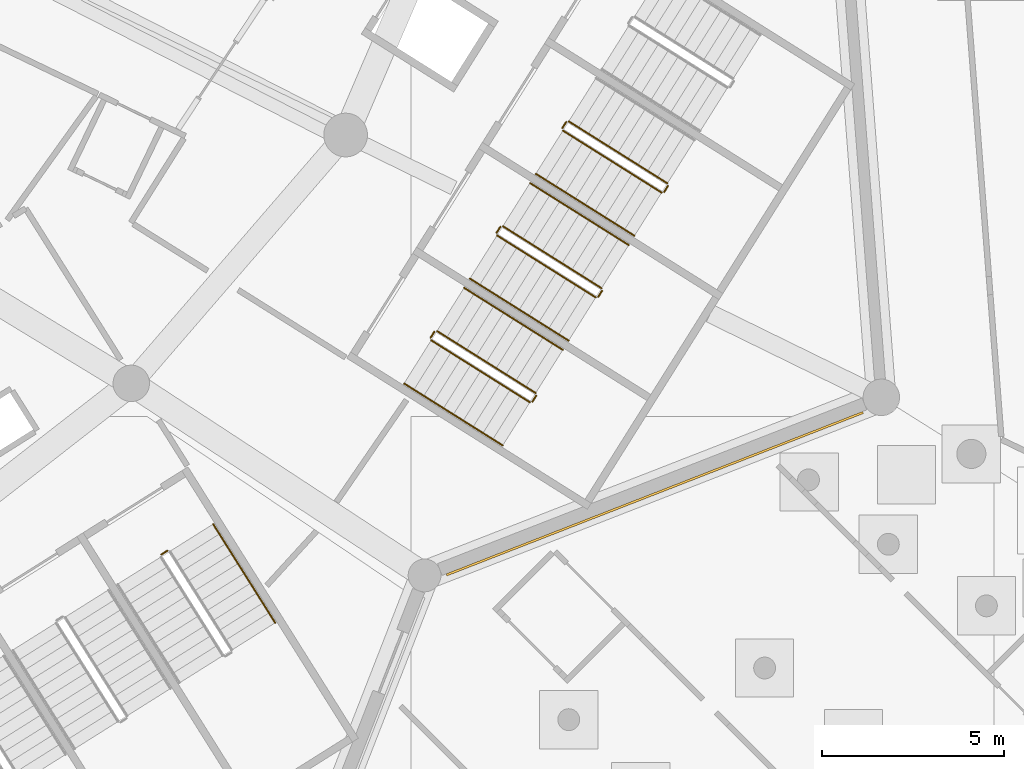
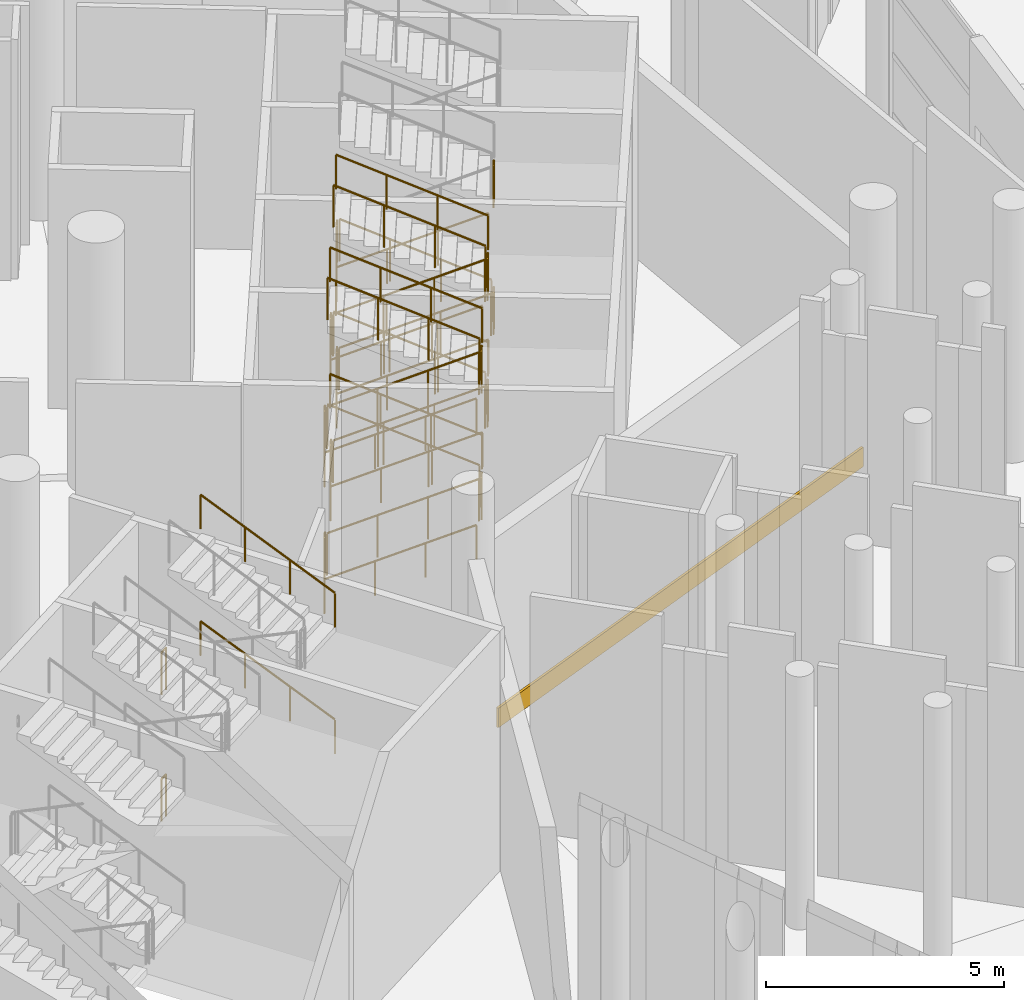
# One storey, part 213 of 255: 36 railings, 1 covering.
"""IFC4 building model written with IfcOpenShell, lengths in metres."""

import ifcopenshell
import ifcopenshell.guid

model = None  # the IFC model being written
_history = None  # IfcOwnerHistory: only IFC2X3 demands one
_inside = {}  # id of a spatial element -> (the spatial element, [elements in it])
_under = {}  # id of a project, library or spatial element -> (it, [spatial elements below it])
_declared = {}  # id of a project -> (the project, [libraries it declares])
_typed = {}  # id of a type object -> (the type object, [elements of that type])
_made_of = {}  # id of a material, layer set ... -> (it, [elements and type objects made of it])


def new_model(schema):
    """Start an empty IFC model of exactly this schema.

    Asked for "IFC4X3", IfcOpenShell would pick the latest addendum, in which some entities
    have other attributes; the version numbers below select the first issue.
    IFC2X3 requires an IfcOwnerHistory on every rooted entity: one is made here for all.
    """
    global model, _history
    if schema == "IFC4X3":
        model = ifcopenshell.file(schema_version=(4, 3, 0, 0))
    else:
        model = ifcopenshell.file(schema=schema)
    _inside.clear()
    _under.clear()
    _declared.clear()
    _typed.clear()
    _made_of.clear()
    _history = None
    if model.schema == "IFC2X3":
        org = make("IfcOrganization", Name="unknown")
        user = make(
            "IfcPersonAndOrganization",
            ThePerson=make("IfcPerson", FamilyName="unknown"),
            TheOrganization=org,
        )
        app = make(
            "IfcApplication",
            ApplicationDeveloper=org,
            Version="unknown",
            ApplicationFullName="unknown",
            ApplicationIdentifier="unknown",
        )
        _history = make(
            "IfcOwnerHistory",
            OwningUser=user,
            OwningApplication=app,
            ChangeAction="ADDED",
            CreationDate=0,
        )
    return model


def make(cls, **values):
    """One entity of the class cls with the attributes given. An attribute that is None is left unset."""
    return model.create_entity(
        cls, **{name: value for name, value in values.items() if value is not None}
    )


def rooted(cls, **values):
    """An entity with a GlobalId (a new one), such as an element, a storey or a relation."""
    return make(cls, GlobalId=ifcopenshell.guid.new(), OwnerHistory=_history, **values)


def si_unit(unit_type, name, prefix=None):
    """IfcSIUnit, for example si_unit("LENGTHUNIT", "METRE", prefix="MILLI")."""
    return make("IfcSIUnit", UnitType=unit_type, Prefix=prefix, Name=name)


def assignment(units):
    """IfcUnitAssignment: the units of a project."""
    return None if units is None else make("IfcUnitAssignment", Units=units)


def point(xyz):
    """IfcCartesianPoint."""
    return None if xyz is None else make("IfcCartesianPoint", Coordinates=xyz)


def direction(xyz):
    """IfcDirection."""
    return None if xyz is None else make("IfcDirection", DirectionRatios=xyz)


def frame(location, z_axis=None, x_axis=None):
    """IfcAxis2Placement3D, a coordinate frame: its origin and axes. An axis left out is left unset."""
    return make(
        "IfcAxis2Placement3D",
        Location=point(location),
        Axis=direction(z_axis),
        RefDirection=direction(x_axis),
    )


def frame_2d(location, x_axis=None):
    """IfcAxis2Placement2D, a coordinate frame in the plane: its origin and x axis."""
    return make(
        "IfcAxis2Placement2D", Location=point(location), RefDirection=direction(x_axis)
    )


def origin():
    """The frame at (0, 0, 0) with its axes left unset."""
    return frame((0.0, 0.0, 0.0))


def origin_2d():
    """The frame at (0, 0) in the plane with its x axis left unset."""
    return frame_2d((0.0, 0.0))


def place(relative_to, where):
    """IfcLocalPlacement: puts the frame where relative to a parent placement (None: the world)."""
    return make(
        "IfcLocalPlacement", PlacementRelTo=relative_to, RelativePlacement=where
    )


def context(
    kind, dimensions, precision=None, world=None, true_north=None, identifier=None
):
    """IfcGeometricRepresentationContext, for example the 3D "Model" context."""
    return make(
        "IfcGeometricRepresentationContext",
        ContextIdentifier=identifier,
        ContextType=kind,
        CoordinateSpaceDimension=dimensions,
        Precision=precision,
        WorldCoordinateSystem=world,
        TrueNorth=true_north,
    )


def subcontext(parent, identifier, kind, view, scale=None):
    """IfcGeometricRepresentationSubContext, for example "Body" below "Model"."""
    return make(
        "IfcGeometricRepresentationSubContext",
        ContextIdentifier=identifier,
        ContextType=kind,
        ParentContext=parent,
        TargetScale=scale,
        TargetView=view,
    )


def project(units=None, contexts=None):
    """IfcProject with its units and contexts."""
    return rooted(
        "IfcProject",
        Name="project",
        RepresentationContexts=contexts,
        UnitsInContext=assignment(units),
    )


def spatial(cls, under=None, at=None, **own):
    """A site, building, storey or space (cls), placed at a placement, below another one or the project."""
    s = rooted(cls, ObjectPlacement=at, **own)
    if under is not None:
        _under.setdefault(under.id(), (under, []))[1].append(s)
    return s


def profile(cls, at=None, kind="AREA", **sizes):
    """A parametric profile (cls). Its sizes go by their IFC names, for example OverallWidth=200.0."""
    return make(cls, ProfileType=kind, Position=at, **sizes)


def rectangle(**sizes):
    """IfcRectangleProfileDef."""
    return profile("IfcRectangleProfileDef", **sizes)


def circle(**sizes):
    """IfcCircleProfileDef."""
    return profile("IfcCircleProfileDef", **sizes)


def extrude(swept, where, along, depth):
    """IfcExtrudedAreaSolid: the profile swept, set in the frame where, extruded along a direction by depth."""
    return make(
        "IfcExtrudedAreaSolid",
        SweptArea=swept,
        Position=where,
        ExtrudedDirection=direction(along),
        Depth=depth,
    )


def shape(context_of_items, identifier, shape_type, items):
    """IfcShapeRepresentation: the items that make up one representation, for example the "Body"."""
    return make(
        "IfcShapeRepresentation",
        ContextOfItems=context_of_items,
        RepresentationIdentifier=identifier,
        RepresentationType=shape_type,
        Items=items,
    )


def material(Name=None, Category=None):
    """IfcMaterial."""
    return make("IfcMaterial", Name=Name, Category=Category)


def layer(
    of_material, thickness, ventilated=None, Name=None, Category=None, Priority=None
):
    """IfcMaterialLayer: one layer of a wall or slab, of a material (None: an air gap)."""
    return make(
        "IfcMaterialLayer",
        Material=of_material,
        LayerThickness=thickness,
        IsVentilated=ventilated,
        Name=Name,
        Category=Category,
        Priority=Priority,
    )


def layer_set(layers, Name=None):
    """IfcMaterialLayerSet."""
    return make("IfcMaterialLayerSet", MaterialLayers=layers, LayerSetName=Name)


def made_of(thing, what):
    """Note that an element or type object is made of a material, layer set ...; save() writes the relation."""
    if what is not None:
        _made_of.setdefault(what.id(), (what, []))[1].append(thing)
    return thing


def type_object(cls, material=None, **own):
    """A type object (cls), such as IfcWallType, which elements share."""
    return made_of(rooted(cls, **own), material)


def element(
    cls,
    number,
    at=None,
    inside=None,
    cuts=None,
    type_object=None,
    material=None,
    context=None,
    identifier="Body",
    shape_type=None,
    held_by="IfcProductDefinitionShape",
    body=None,
    shapes=None,
    **own,
):
    """One element of the class cls, such as IfcWall. Its Tag is "e" and its number.

    at: its placement. inside: the storey or other place that contains it. cuts: it is an
    opening in that element (IfcRelVoidsElement). A single representation is given by context,
    identifier, shape_type and body (its items); several are given by shapes. held_by: the class
    of the entity that holds the representations. save() writes the other relations.
    """
    e = rooted(cls, Tag="e%d" % number, ObjectPlacement=at, **own)
    if body is not None:
        shapes = [shape(context, identifier, shape_type, body)]
    if shapes is not None:
        e.Representation = make(held_by, Representations=shapes)
    if inside is not None:
        _inside.setdefault(inside.id(), (inside, []))[1].append(e)
    if cuts is not None:
        rooted(
            "IfcRelVoidsElement", RelatingBuildingElement=cuts, RelatedOpeningElement=e
        )
    if type_object is not None:
        _typed.setdefault(type_object.id(), (type_object, []))[1].append(e)
    return made_of(e, material)


def aggregate(whole, parts):
    """IfcRelAggregates: a whole, such as a stair, and the parts it consists of."""
    return rooted("IfcRelAggregates", RelatingObject=whole, RelatedObjects=parts)


def save(model, path):
    """Write the relations noted so far, then the file.

    IfcRelAggregates (storeys below a building ...), IfcRelContainedInSpatialStructure (elements
    in a storey), IfcRelDefinesByType, IfcRelAssociatesMaterial and IfcRelDeclares: one each for
    every whole, place, type object, material and project.
    """
    for whole, parts in _under.values():
        aggregate(whole, parts)
    for where, things in _inside.values():
        rooted(
            "IfcRelContainedInSpatialStructure",
            RelatedElements=things,
            RelatingStructure=where,
        )
    for kind, things in _typed.values():
        rooted("IfcRelDefinesByType", RelatedObjects=things, RelatingType=kind)
    for what, things in _made_of.values():
        rooted("IfcRelAssociatesMaterial", RelatedObjects=things, RelatingMaterial=what)
    for by, libraries in _declared.values():
        rooted("IfcRelDeclares", RelatingContext=by, RelatedDefinitions=libraries)
    model.write(path)


model = new_model("IFC4")

# Units and contexts
model_context = context("Model", 3, precision=1e-05, world=origin(), true_north=direction((0.0, 1.0)))
body_context = subcontext(model_context, "Body", "Model", "MODEL_VIEW")
ifc_project = project(units=[si_unit("LENGTHUNIT", "METRE"), si_unit("AREAUNIT", "SQUARE_METRE"), si_unit("VOLUMEUNIT", "CUBIC_METRE"), si_unit("PLANEANGLEUNIT", "RADIAN"), si_unit("MASSUNIT", "GRAM", prefix="KILO")], contexts=[model_context])

# Site, building, storey
site_placement = place(None, origin())
site = spatial("IfcSite", under=ifc_project, at=site_placement, CompositionType="ELEMENT")
building_placement = place(site_placement, origin())
building = spatial("IfcBuilding", under=site, at=building_placement, Name="Meseta Stadium", CompositionType="ELEMENT")
storey_placement = place(building_placement, origin())
storey = spatial("IfcBuildingStorey", under=building, at=storey_placement, Name="L00", CompositionType="ELEMENT", Elevation=0.0)

# Covering
ifc_material_1 = material(Name="Guadarrama granite cladding", Category="masonry")
ifc_layer = layer(ifc_material_1, 0.06005859375)
ifc_layer_set = layer_set([ifc_layer], Name="Granite plinth cladding 60")
covering_type = type_object("IfcCoveringType", Name="Granite plinth cladding 60", PredefinedType="CLADDING", material=ifc_layer_set)
covering_placement = place(storey_placement, frame((86.688232421875, -82.1201171875, 0.0), z_axis=(0.0, 0.0, 1.0), x_axis=(-0.931679815252, -0.363280500237, 0.0)))
element("IfcCovering", 1, at=covering_placement, inside=storey, type_object=covering_type, Name="Granite plinth L00 F53", PredefinedType="CLADDING", context=body_context, shape_type="SweptSolid", body=[
    extrude(rectangle(XDim=12.273681640625, YDim=0.06005859375, at=origin_2d()), origin(), (0.0, 0.0, 1.0), 0.5),
])

# Railings
ifc_material_2 = material(Name="Steel S355", Category="steel")
railing_type_1 = type_object("IfcRailingType", Name="Stair guard 1100", PredefinedType="GUARDRAIL", material=ifc_material_2)
for number, where, name in (
    (2, (73.1376953125, -83.791259765625, 3.25), "ST108 L00 guard 4"),
    (3, (73.1376953125, -83.791259765625, 0.0), "ST108 L00 guard 8"),
):
    element("IfcRailing", number, at=place(storey_placement, frame(where)), inside=storey, type_object=railing_type_1, Name=name, PredefinedType="GUARDRAIL", context=body_context, shape_type="SweptSolid", body=[
        extrude(circle(Radius=0.02392578125, at=origin_2d()), frame((0.0, 0.0, 1.076171875), z_axis=(0.846416356806, 0.532521690573, 0.0), x_axis=(-0.532521690573, 0.846416356806, 0.0)), (0.0, 0.0, 1.0), 0.199951171875),
        extrude(circle(Radius=0.02099609375, at=origin_2d()), origin(), (0.0, 0.0, 1.0), 1.052001953125),
        extrude(circle(Radius=0.02099609375, at=origin_2d()), frame((0.169189453125, 0.1064453125, 0.0)), (0.0, 0.0, 1.0), 1.052001953125),
    ])
railing_1_placement = place(storey_placement, frame((80.54736328125, -77.907958984375, 0.147705078125)))
element("IfcRailing", 4, at=railing_1_placement, inside=storey, type_object=railing_type_1, Name="ST109 L00 guard 1", PredefinedType="GUARDRAIL", context=body_context, shape_type="SweptSolid", body=[
    extrude(circle(Radius=0.02392578125, at=origin_2d()), frame((0.0, 0.0, 1.076171875), z_axis=(0.76876358972, -0.483022933061, 0.419155566894), x_axis=(0.532013720158, 0.846735733015, 0.0)), (0.0, 0.0, 1.0), 3.5244140625),
    extrude(circle(Radius=0.02099609375, at=origin_2d()), origin(), (0.0, 0.0, 1.0), 1.052001953125),
    extrude(circle(Radius=0.02099609375, at=origin_2d()), frame((0.903076171875, -0.5673828125, 0.492431640625)), (0.0, 0.0, 1.0), 1.052001953125),
    extrude(circle(Radius=0.02099609375, at=origin_2d()), frame((1.806396484375, -1.135009765625, 0.98486328125)), (0.0, 0.0, 1.0), 1.052001953125),
    extrude(circle(Radius=0.02099609375, at=origin_2d()), frame((2.70947265625, -1.702392578125, 1.477294921875)), (0.0, 0.0, 1.0), 1.052001953125),
])
railing_2_placement = place(storey_placement, frame((83.325927734375, -79.5947265625, 1.625)))
element("IfcRailing", 5, at=railing_2_placement, inside=storey, type_object=railing_type_1, Name="ST109 L00 guard 2", PredefinedType="GUARDRAIL", context=body_context, shape_type="SweptSolid", body=[
    extrude(circle(Radius=0.02392578125, at=origin_2d()), frame((0.0, 0.0, 1.076171875), z_axis=(0.531095943551, 0.847311689252, 0.0), x_axis=(-0.847311689252, 0.531095943551, 0.0)), (0.0, 0.0, 1.0), 0.199951171875),
    extrude(circle(Radius=0.02099609375, at=origin_2d()), origin(), (0.0, 0.0, 1.0), 1.052001953125),
    extrude(circle(Radius=0.02099609375, at=origin_2d()), frame((0.106201171875, 0.16943359375, 0.0)), (0.0, 0.0, 1.0), 1.052001953125),
])
railing_3_placement = place(storey_placement, frame((83.41650390625, -79.3564453125, 1.772705078125)))
element("IfcRailing", 6, at=railing_3_placement, inside=storey, type_object=railing_type_1, Name="ST109 L00 guard 3", PredefinedType="GUARDRAIL", context=body_context, shape_type="SweptSolid", body=[
    extrude(circle(Radius=0.02392578125, at=origin_2d()), frame((0.0, 0.0, 1.076171875), z_axis=(-0.768737866935, 0.483076039287, 0.419141541973), x_axis=(-0.53206841829, -0.84670136309, 0.0)), (0.0, 0.0, 1.0), 3.524658203125),
    extrude(circle(Radius=0.02099609375, at=origin_2d()), origin(), (0.0, 0.0, 1.0), 1.052001953125),
    extrude(circle(Radius=0.02099609375, at=origin_2d()), frame((-0.903076171875, 0.567626953125, 0.492431640625)), (0.0, 0.0, 1.0), 1.052001953125),
    extrude(circle(Radius=0.02099609375, at=origin_2d()), frame((-1.806396484375, 1.135009765625, 0.98486328125)), (0.0, 0.0, 1.0), 1.052001953125),
    extrude(circle(Radius=0.02099609375, at=origin_2d()), frame((-2.70947265625, 1.70263671875, 1.477294921875)), (0.0, 0.0, 1.0), 1.052001953125),
])
railing_4_placement = place(storey_placement, frame((80.53173828125, -77.8388671875, 3.25)))
element("IfcRailing", 7, at=railing_4_placement, inside=storey, type_object=railing_type_1, Name="ST109 L00 guard 4", PredefinedType="GUARDRAIL", context=body_context, shape_type="SweptSolid", body=[
    extrude(circle(Radius=0.02392578125, at=origin_2d()), frame((0.0, 0.0, 1.076171875), z_axis=(0.531645814745, 0.846966780732, 0.0), x_axis=(-0.846966780732, 0.531645814745, 0.0)), (0.0, 0.0, 1.0), 0.19970703125),
    extrude(circle(Radius=0.02099609375, at=origin_2d()), origin(), (0.0, 0.0, 1.0), 1.052001953125),
    extrude(circle(Radius=0.02099609375, at=origin_2d()), frame((0.106201171875, 0.169189453125, 0.0)), (0.0, 0.0, 1.0), 1.052001953125),
])
railing_5_placement = place(storey_placement, frame((80.54736328125, -77.907958984375, 3.397705078125)))
element("IfcRailing", 8, at=railing_5_placement, inside=storey, type_object=railing_type_1, Name="ST109 L00 guard 5", PredefinedType="GUARDRAIL", context=body_context, shape_type="SweptSolid", body=[
    extrude(circle(Radius=0.02392578125, at=origin_2d()), frame((0.0, 0.0, 1.076171875), z_axis=(0.76876358972, -0.483022933061, 0.419155566894), x_axis=(0.532013720158, 0.846735733015, 0.0)), (0.0, 0.0, 1.0), 3.5244140625),
    extrude(circle(Radius=0.02099609375, at=origin_2d()), origin(), (0.0, 0.0, 1.0), 1.052001953125),
    extrude(circle(Radius=0.02099609375, at=origin_2d()), frame((0.903076171875, -0.5673828125, 0.492431640625)), (0.0, 0.0, 1.0), 1.052001953125),
    extrude(circle(Radius=0.02099609375, at=origin_2d()), frame((1.806396484375, -1.135009765625, 0.98486328125)), (0.0, 0.0, 1.0), 1.052001953125),
    extrude(circle(Radius=0.02099609375, at=origin_2d()), frame((2.70947265625, -1.702392578125, 1.477294921875)), (0.0, 0.0, 1.0), 1.052001953125),
])
railing_6_placement = place(storey_placement, frame((83.325927734375, -79.5947265625, 4.875)))
element("IfcRailing", 9, at=railing_6_placement, inside=storey, type_object=railing_type_1, Name="ST109 L00 guard 6", PredefinedType="GUARDRAIL", context=body_context, shape_type="SweptSolid", body=[
    extrude(circle(Radius=0.02392578125, at=origin_2d()), frame((0.0, 0.0, 1.076171875), z_axis=(0.531095943551, 0.847311689252, 0.0), x_axis=(-0.847311689252, 0.531095943551, 0.0)), (0.0, 0.0, 1.0), 0.199951171875),
    extrude(circle(Radius=0.02099609375, at=origin_2d()), origin(), (0.0, 0.0, 1.0), 1.052001953125),
    extrude(circle(Radius=0.02099609375, at=origin_2d()), frame((0.106201171875, 0.16943359375, 0.0)), (0.0, 0.0, 1.0), 1.052001953125),
])
railing_7_placement = place(storey_placement, frame((83.41650390625, -79.3564453125, 5.022705078125)))
element("IfcRailing", 10, at=railing_7_placement, inside=storey, type_object=railing_type_1, Name="ST109 L00 guard 7", PredefinedType="GUARDRAIL", context=body_context, shape_type="SweptSolid", body=[
    extrude(circle(Radius=0.02392578125, at=origin_2d()), frame((0.0, 0.0, 1.076171875), z_axis=(-0.768737866935, 0.483076039287, 0.419141541973), x_axis=(-0.53206841829, -0.84670136309, 0.0)), (0.0, 0.0, 1.0), 3.524658203125),
    extrude(circle(Radius=0.02099609375, at=origin_2d()), origin(), (0.0, 0.0, 1.0), 1.052001953125),
    extrude(circle(Radius=0.02099609375, at=origin_2d()), frame((-0.903076171875, 0.567626953125, 0.492431640625)), (0.0, 0.0, 1.0), 1.052001953125),
    extrude(circle(Radius=0.02099609375, at=origin_2d()), frame((-1.806396484375, 1.135009765625, 0.98486328125)), (0.0, 0.0, 1.0), 1.052001953125),
    extrude(circle(Radius=0.02099609375, at=origin_2d()), frame((-2.70947265625, 1.70263671875, 1.477294921875)), (0.0, 0.0, 1.0), 1.052001953125),
])
railing_8_placement = place(storey_placement, frame((80.53173828125, -77.8388671875, 0.0)))
element("IfcRailing", 11, at=railing_8_placement, inside=storey, type_object=railing_type_1, Name="ST109 L00 guard 8", PredefinedType="GUARDRAIL", context=body_context, shape_type="SweptSolid", body=[
    extrude(circle(Radius=0.02392578125, at=origin_2d()), frame((0.0, 0.0, 1.076171875), z_axis=(0.531645814745, 0.846966780732, 0.0), x_axis=(-0.846966780732, 0.531645814745, 0.0)), (0.0, 0.0, 1.0), 0.19970703125),
    extrude(circle(Radius=0.02099609375, at=origin_2d()), origin(), (0.0, 0.0, 1.0), 1.052001953125),
    extrude(circle(Radius=0.02099609375, at=origin_2d()), frame((0.106201171875, 0.169189453125, 0.0)), (0.0, 0.0, 1.0), 1.052001953125),
])
railing_9_placement = place(storey_placement, frame((82.356201171875, -75.029052734375, 0.147705078125)))
element("IfcRailing", 12, at=railing_9_placement, inside=storey, type_object=railing_type_1, Name="ST110 L00 guard 1", PredefinedType="GUARDRAIL", context=body_context, shape_type="SweptSolid", body=[
    extrude(circle(Radius=0.02392578125, at=origin_2d()), frame((0.0, 0.0, 1.076171875), z_axis=(0.76876358972, -0.483022933061, 0.419155566894), x_axis=(0.532013720158, 0.846735733015, 0.0)), (0.0, 0.0, 1.0), 3.5244140625),
    extrude(circle(Radius=0.02099609375, at=origin_2d()), origin(), (0.0, 0.0, 1.0), 1.052001953125),
    extrude(circle(Radius=0.02099609375, at=origin_2d()), frame((0.903076171875, -0.5673828125, 0.492431640625)), (0.0, 0.0, 1.0), 1.052001953125),
    extrude(circle(Radius=0.02099609375, at=origin_2d()), frame((1.806396484375, -1.135009765625, 0.98486328125)), (0.0, 0.0, 1.0), 1.052001953125),
    extrude(circle(Radius=0.02099609375, at=origin_2d()), frame((2.70947265625, -1.702392578125, 1.477294921875)), (0.0, 0.0, 1.0), 1.052001953125),
])
railing_10_placement = place(storey_placement, frame((85.134765625, -76.7158203125, 1.625)))
element("IfcRailing", 13, at=railing_10_placement, inside=storey, type_object=railing_type_1, Name="ST110 L00 guard 2", PredefinedType="GUARDRAIL", context=body_context, shape_type="SweptSolid", body=[
    extrude(circle(Radius=0.02392578125, at=origin_2d()), frame((0.0, 0.0, 1.076171875), z_axis=(0.531971628011, 0.846762178531, 0.0), x_axis=(-0.846762178531, 0.531971628011, 0.0)), (0.0, 0.0, 1.0), 0.2001953125),
    extrude(circle(Radius=0.02099609375, at=origin_2d()), origin(), (0.0, 0.0, 1.0), 1.052001953125),
    extrude(circle(Radius=0.02099609375, at=origin_2d()), frame((0.1064453125, 0.16943359375, 0.0)), (0.0, 0.0, 1.0), 1.052001953125),
])
railing_11_placement = place(storey_placement, frame((85.225341796875, -76.4775390625, 1.772705078125)))
element("IfcRailing", 14, at=railing_11_placement, inside=storey, type_object=railing_type_1, Name="ST110 L00 guard 3", PredefinedType="GUARDRAIL", context=body_context, shape_type="SweptSolid", body=[
    extrude(circle(Radius=0.02392578125, at=origin_2d()), frame((0.0, 0.0, 1.076171875), z_axis=(-0.76876358972, 0.483022933061, 0.419155566894), x_axis=(-0.532013720158, -0.846735733015, 0.0)), (0.0, 0.0, 1.0), 3.5244140625),
    extrude(circle(Radius=0.02099609375, at=origin_2d()), origin(), (0.0, 0.0, 1.0), 1.052001953125),
    extrude(circle(Radius=0.02099609375, at=origin_2d()), frame((-0.903076171875, 0.5673828125, 0.492431640625)), (0.0, 0.0, 1.0), 1.052001953125),
    extrude(circle(Radius=0.02099609375, at=origin_2d()), frame((-1.806396484375, 1.135009765625, 0.98486328125)), (0.0, 0.0, 1.0), 1.052001953125),
    extrude(circle(Radius=0.02099609375, at=origin_2d()), frame((-2.70947265625, 1.702392578125, 1.477294921875)), (0.0, 0.0, 1.0), 1.052001953125),
])
railing_12_placement = place(storey_placement, frame((82.340576171875, -74.960205078125, 3.25)))
element("IfcRailing", 15, at=railing_12_placement, inside=storey, type_object=railing_type_1, Name="ST110 L00 guard 4", PredefinedType="GUARDRAIL", context=body_context, shape_type="SweptSolid", body=[
    extrude(circle(Radius=0.02392578125, at=origin_2d()), frame((0.0, 0.0, 1.076171875), z_axis=(0.531971628011, 0.846762178531, 0.0), x_axis=(-0.846762178531, 0.531971628011, 0.0)), (0.0, 0.0, 1.0), 0.2001953125),
    extrude(circle(Radius=0.02099609375, at=origin_2d()), origin(), (0.0, 0.0, 1.0), 1.052001953125),
    extrude(circle(Radius=0.02099609375, at=origin_2d()), frame((0.1064453125, 0.16943359375, 0.0)), (0.0, 0.0, 1.0), 1.052001953125),
])
railing_13_placement = place(storey_placement, frame((82.356201171875, -75.029052734375, 3.397705078125)))
element("IfcRailing", 16, at=railing_13_placement, inside=storey, type_object=railing_type_1, Name="ST110 L00 guard 5", PredefinedType="GUARDRAIL", context=body_context, shape_type="SweptSolid", body=[
    extrude(circle(Radius=0.02392578125, at=origin_2d()), frame((0.0, 0.0, 1.076171875), z_axis=(0.76876358972, -0.483022933061, 0.419155566894), x_axis=(0.532013720158, 0.846735733015, 0.0)), (0.0, 0.0, 1.0), 3.5244140625),
    extrude(circle(Radius=0.02099609375, at=origin_2d()), origin(), (0.0, 0.0, 1.0), 1.052001953125),
    extrude(circle(Radius=0.02099609375, at=origin_2d()), frame((0.903076171875, -0.5673828125, 0.492431640625)), (0.0, 0.0, 1.0), 1.052001953125),
    extrude(circle(Radius=0.02099609375, at=origin_2d()), frame((1.806396484375, -1.135009765625, 0.98486328125)), (0.0, 0.0, 1.0), 1.052001953125),
    extrude(circle(Radius=0.02099609375, at=origin_2d()), frame((2.70947265625, -1.702392578125, 1.477294921875)), (0.0, 0.0, 1.0), 1.052001953125),
])
railing_14_placement = place(storey_placement, frame((85.134765625, -76.7158203125, 4.875)))
element("IfcRailing", 17, at=railing_14_placement, inside=storey, type_object=railing_type_1, Name="ST110 L00 guard 6", PredefinedType="GUARDRAIL", context=body_context, shape_type="SweptSolid", body=[
    extrude(circle(Radius=0.02392578125, at=origin_2d()), frame((0.0, 0.0, 1.076171875), z_axis=(0.531971628011, 0.846762178531, 0.0), x_axis=(-0.846762178531, 0.531971628011, 0.0)), (0.0, 0.0, 1.0), 0.2001953125),
    extrude(circle(Radius=0.02099609375, at=origin_2d()), origin(), (0.0, 0.0, 1.0), 1.052001953125),
    extrude(circle(Radius=0.02099609375, at=origin_2d()), frame((0.1064453125, 0.16943359375, 0.0)), (0.0, 0.0, 1.0), 1.052001953125),
])
railing_15_placement = place(storey_placement, frame((85.225341796875, -76.4775390625, 5.022705078125)))
element("IfcRailing", 18, at=railing_15_placement, inside=storey, type_object=railing_type_1, Name="ST110 L00 guard 7", PredefinedType="GUARDRAIL", context=body_context, shape_type="SweptSolid", body=[
    extrude(circle(Radius=0.02392578125, at=origin_2d()), frame((0.0, 0.0, 1.076171875), z_axis=(-0.76876358972, 0.483022933061, 0.419155566894), x_axis=(-0.532013720158, -0.846735733015, 0.0)), (0.0, 0.0, 1.0), 3.5244140625),
    extrude(circle(Radius=0.02099609375, at=origin_2d()), origin(), (0.0, 0.0, 1.0), 1.052001953125),
    extrude(circle(Radius=0.02099609375, at=origin_2d()), frame((-0.903076171875, 0.5673828125, 0.492431640625)), (0.0, 0.0, 1.0), 1.052001953125),
    extrude(circle(Radius=0.02099609375, at=origin_2d()), frame((-1.806396484375, 1.135009765625, 0.98486328125)), (0.0, 0.0, 1.0), 1.052001953125),
    extrude(circle(Radius=0.02099609375, at=origin_2d()), frame((-2.70947265625, 1.702392578125, 1.477294921875)), (0.0, 0.0, 1.0), 1.052001953125),
])
railing_16_placement = place(storey_placement, frame((82.340576171875, -74.960205078125, 0.0)))
element("IfcRailing", 19, at=railing_16_placement, inside=storey, type_object=railing_type_1, Name="ST110 L00 guard 8", PredefinedType="GUARDRAIL", context=body_context, shape_type="SweptSolid", body=[
    extrude(circle(Radius=0.02392578125, at=origin_2d()), frame((0.0, 0.0, 1.076171875), z_axis=(0.531971628011, 0.846762178531, 0.0), x_axis=(-0.846762178531, 0.531971628011, 0.0)), (0.0, 0.0, 1.0), 0.2001953125),
    extrude(circle(Radius=0.02099609375, at=origin_2d()), origin(), (0.0, 0.0, 1.0), 1.052001953125),
    extrude(circle(Radius=0.02099609375, at=origin_2d()), frame((0.1064453125, 0.16943359375, 0.0)), (0.0, 0.0, 1.0), 1.052001953125),
])
railing_17_placement = place(storey_placement, frame((84.165283203125, -72.150146484375, 0.147705078125)))
element("IfcRailing", 20, at=railing_17_placement, inside=storey, type_object=railing_type_1, Name="ST111 L00 guard 1", PredefinedType="GUARDRAIL", context=body_context, shape_type="SweptSolid", body=[
    extrude(circle(Radius=0.02392578125, at=origin_2d()), frame((0.0, 0.0, 1.076171875), z_axis=(0.768737866935, -0.483076039287, 0.419141541973), x_axis=(0.53206841829, 0.84670136309, 0.0)), (0.0, 0.0, 1.0), 3.524658203125),
    extrude(circle(Radius=0.02099609375, at=origin_2d()), origin(), (0.0, 0.0, 1.0), 1.052001953125),
    extrude(circle(Radius=0.02099609375, at=origin_2d()), frame((0.903076171875, -0.567626953125, 0.492431640625)), (0.0, 0.0, 1.0), 1.052001953125),
    extrude(circle(Radius=0.02099609375, at=origin_2d()), frame((1.806396484375, -1.135009765625, 0.98486328125)), (0.0, 0.0, 1.0), 1.052001953125),
    extrude(circle(Radius=0.02099609375, at=origin_2d()), frame((2.70947265625, -1.70263671875, 1.477294921875)), (0.0, 0.0, 1.0), 1.052001953125),
])
railing_18_placement = place(storey_placement, frame((86.943603515625, -73.8369140625, 1.625)))
element("IfcRailing", 21, at=railing_18_placement, inside=storey, type_object=railing_type_1, Name="ST111 L00 guard 2", PredefinedType="GUARDRAIL", context=body_context, shape_type="SweptSolid", body=[
    extrude(circle(Radius=0.02392578125, at=origin_2d()), frame((0.0, 0.0, 1.076171875), z_axis=(0.532521690573, 0.846416356806, 0.0), x_axis=(-0.846416356806, 0.532521690573, 0.0)), (0.0, 0.0, 1.0), 0.199951171875),
    extrude(circle(Radius=0.02099609375, at=origin_2d()), origin(), (0.0, 0.0, 1.0), 1.052001953125),
    extrude(circle(Radius=0.02099609375, at=origin_2d()), frame((0.1064453125, 0.169189453125, 0.0)), (0.0, 0.0, 1.0), 1.052001953125),
])
railing_19_placement = place(storey_placement, frame((87.034423828125, -73.5986328125, 1.772705078125)))
element("IfcRailing", 22, at=railing_19_placement, inside=storey, type_object=railing_type_1, Name="ST111 L00 guard 3", PredefinedType="GUARDRAIL", context=body_context, shape_type="SweptSolid", body=[
    extrude(circle(Radius=0.02392578125, at=origin_2d()), frame((0.0, 0.0, 1.076171875), z_axis=(-0.768791919252, 0.482997211726, 0.419133246544), x_axis=(-0.531979352387, -0.846757325705, 0.0)), (0.0, 0.0, 1.0), 3.524658203125),
    extrude(circle(Radius=0.02099609375, at=origin_2d()), origin(), (0.0, 0.0, 1.0), 1.052001953125),
    extrude(circle(Radius=0.02099609375, at=origin_2d()), frame((-0.9033203125, 0.5673828125, 0.492431640625)), (0.0, 0.0, 1.0), 1.052001953125),
    extrude(circle(Radius=0.02099609375, at=origin_2d()), frame((-1.806396484375, 1.135009765625, 0.98486328125)), (0.0, 0.0, 1.0), 1.052001953125),
    extrude(circle(Radius=0.02099609375, at=origin_2d()), frame((-2.709716796875, 1.702392578125, 1.477294921875)), (0.0, 0.0, 1.0), 1.052001953125),
])
railing_20_placement = place(storey_placement, frame((84.1494140625, -72.081298828125, 3.25)))
element("IfcRailing", 23, at=railing_20_placement, inside=storey, type_object=railing_type_1, Name="ST111 L00 guard 4", PredefinedType="GUARDRAIL", context=body_context, shape_type="SweptSolid", body=[
    extrude(circle(Radius=0.02392578125, at=origin_2d()), frame((0.0, 0.0, 1.076171875), z_axis=(0.531971628011, 0.846762178531, 0.0), x_axis=(-0.846762178531, 0.531971628011, 0.0)), (0.0, 0.0, 1.0), 0.2001953125),
    extrude(circle(Radius=0.02099609375, at=origin_2d()), origin(), (0.0, 0.0, 1.0), 1.052001953125),
    extrude(circle(Radius=0.02099609375, at=origin_2d()), frame((0.1064453125, 0.16943359375, 0.0)), (0.0, 0.0, 1.0), 1.052001953125),
])
railing_21_placement = place(storey_placement, frame((86.943603515625, -73.8369140625, 4.875)))
element("IfcRailing", 24, at=railing_21_placement, inside=storey, type_object=railing_type_1, Name="ST111 L00 guard 6", PredefinedType="GUARDRAIL", context=body_context, shape_type="SweptSolid", body=[
    extrude(circle(Radius=0.02392578125, at=origin_2d()), frame((0.0, 0.0, 1.076171875), z_axis=(0.532521690573, 0.846416356806, 0.0), x_axis=(-0.846416356806, 0.532521690573, 0.0)), (0.0, 0.0, 1.0), 0.199951171875),
    extrude(circle(Radius=0.02099609375, at=origin_2d()), origin(), (0.0, 0.0, 1.0), 1.052001953125),
    extrude(circle(Radius=0.02099609375, at=origin_2d()), frame((0.1064453125, 0.169189453125, 0.0)), (0.0, 0.0, 1.0), 1.052001953125),
])
railing_22_placement = place(storey_placement, frame((84.1494140625, -72.081298828125, 0.0)))
element("IfcRailing", 25, at=railing_22_placement, inside=storey, type_object=railing_type_1, Name="ST111 L00 guard 8", PredefinedType="GUARDRAIL", context=body_context, shape_type="SweptSolid", body=[
    extrude(circle(Radius=0.02392578125, at=origin_2d()), frame((0.0, 0.0, 1.076171875), z_axis=(0.531971628011, 0.846762178531, 0.0), x_axis=(-0.846762178531, 0.531971628011, 0.0)), (0.0, 0.0, 1.0), 0.2001953125),
    extrude(circle(Radius=0.02099609375, at=origin_2d()), origin(), (0.0, 0.0, 1.0), 1.052001953125),
    extrude(circle(Radius=0.02099609375, at=origin_2d()), frame((0.1064453125, 0.16943359375, 0.0)), (0.0, 0.0, 1.0), 1.052001953125),
])
ifc_material_3 = material(Name="Steel S355", Category="steel")
railing_type_2 = type_object("IfcRailingType", Name="Stair handrail 900", PredefinedType="HANDRAIL", material=ifc_material_3)
for number, where, name in (
    (26, (76.263916015625, -85.665283203125, 1.772705078125), "ST108 L00 handrail 2"),
    (27, (76.263916015625, -85.665283203125, 5.022705078125), "ST108 L00 handrail 4"),
):
    element("IfcRailing", number, at=place(storey_placement, frame(where)), inside=storey, type_object=railing_type_2, Name=name, PredefinedType="HANDRAIL", context=body_context, shape_type="SweptSolid", body=[
        extrude(circle(Radius=0.02392578125, at=origin_2d()), frame((0.0, 0.0, 0.8759765625), z_axis=(-0.483076039287, 0.768737866935, 0.419141541973), x_axis=(-0.84670136309, -0.53206841829, 0.0)), (0.0, 0.0, 1.0), 3.524658203125),
        extrude(circle(Radius=0.02099609375, at=origin_2d()), origin(), (0.0, 0.0, 1.0), 0.851806640625),
        extrude(circle(Radius=0.02099609375, at=origin_2d()), frame((-0.567626953125, 0.903076171875, 0.492431640625)), (0.0, 0.0, 1.0), 0.851806640625),
        extrude(circle(Radius=0.02099609375, at=origin_2d()), frame((-1.135009765625, 1.806396484375, 0.98486328125)), (0.0, 0.0, 1.0), 0.851806640625),
        extrude(circle(Radius=0.02099609375, at=origin_2d()), frame((-1.70263671875, 2.70947265625, 1.477294921875)), (0.0, 0.0, 1.0), 0.851806640625),
    ])
railing_23_placement = place(storey_placement, frame((79.802490234375, -79.09326171875, 0.147705078125)))
element("IfcRailing", 28, at=railing_23_placement, inside=storey, type_object=railing_type_2, Name="ST109 L00 handrail 1", PredefinedType="HANDRAIL", context=body_context, shape_type="SweptSolid", body=[
    extrude(circle(Radius=0.02392578125, at=origin_2d()), frame((0.0, 0.0, 0.8759765625), z_axis=(0.768737866935, -0.483076039287, 0.419141541973), x_axis=(0.53206841829, 0.84670136309, 0.0)), (0.0, 0.0, 1.0), 3.524658203125),
    extrude(circle(Radius=0.02099609375, at=origin_2d()), origin(), (0.0, 0.0, 1.0), 0.851806640625),
    extrude(circle(Radius=0.02099609375, at=origin_2d()), frame((0.903076171875, -0.567626953125, 0.492431640625)), (0.0, 0.0, 1.0), 0.851806640625),
    extrude(circle(Radius=0.02099609375, at=origin_2d()), frame((1.806396484375, -1.135009765625, 0.98486328125)), (0.0, 0.0, 1.0), 0.851806640625),
    extrude(circle(Radius=0.02099609375, at=origin_2d()), frame((2.70947265625, -1.70263671875, 1.477294921875)), (0.0, 0.0, 1.0), 0.851806640625),
])
railing_24_placement = place(storey_placement, frame((84.161376953125, -78.1708984375, 1.772705078125)))
element("IfcRailing", 29, at=railing_24_placement, inside=storey, type_object=railing_type_2, Name="ST109 L00 handrail 2", PredefinedType="HANDRAIL", context=body_context, shape_type="SweptSolid", body=[
    extrude(circle(Radius=0.02392578125, at=origin_2d()), frame((0.0, 0.0, 0.8759765625), z_axis=(-0.76876358972, 0.483022933061, 0.419155566894), x_axis=(-0.532013720158, -0.846735733015, 0.0)), (0.0, 0.0, 1.0), 3.5244140625),
    extrude(circle(Radius=0.02099609375, at=origin_2d()), origin(), (0.0, 0.0, 1.0), 0.851806640625),
    extrude(circle(Radius=0.02099609375, at=origin_2d()), frame((-0.903076171875, 0.5673828125, 0.492431640625)), (0.0, 0.0, 1.0), 0.851806640625),
    extrude(circle(Radius=0.02099609375, at=origin_2d()), frame((-1.806396484375, 1.135009765625, 0.98486328125)), (0.0, 0.0, 1.0), 0.851806640625),
    extrude(circle(Radius=0.02099609375, at=origin_2d()), frame((-2.70947265625, 1.702392578125, 1.477294921875)), (0.0, 0.0, 1.0), 0.851806640625),
])
railing_25_placement = place(storey_placement, frame((79.802490234375, -79.09326171875, 3.397705078125)))
element("IfcRailing", 30, at=railing_25_placement, inside=storey, type_object=railing_type_2, Name="ST109 L00 handrail 3", PredefinedType="HANDRAIL", context=body_context, shape_type="SweptSolid", body=[
    extrude(circle(Radius=0.02392578125, at=origin_2d()), frame((0.0, 0.0, 0.8759765625), z_axis=(0.768737866935, -0.483076039287, 0.419141541973), x_axis=(0.53206841829, 0.84670136309, 0.0)), (0.0, 0.0, 1.0), 3.524658203125),
    extrude(circle(Radius=0.02099609375, at=origin_2d()), origin(), (0.0, 0.0, 1.0), 0.851806640625),
    extrude(circle(Radius=0.02099609375, at=origin_2d()), frame((0.903076171875, -0.567626953125, 0.492431640625)), (0.0, 0.0, 1.0), 0.851806640625),
    extrude(circle(Radius=0.02099609375, at=origin_2d()), frame((1.806396484375, -1.135009765625, 0.98486328125)), (0.0, 0.0, 1.0), 0.851806640625),
    extrude(circle(Radius=0.02099609375, at=origin_2d()), frame((2.70947265625, -1.70263671875, 1.477294921875)), (0.0, 0.0, 1.0), 0.851806640625),
])
railing_26_placement = place(storey_placement, frame((84.161376953125, -78.1708984375, 5.022705078125)))
element("IfcRailing", 31, at=railing_26_placement, inside=storey, type_object=railing_type_2, Name="ST109 L00 handrail 4", PredefinedType="HANDRAIL", context=body_context, shape_type="SweptSolid", body=[
    extrude(circle(Radius=0.02392578125, at=origin_2d()), frame((0.0, 0.0, 0.8759765625), z_axis=(-0.76876358972, 0.483022933061, 0.419155566894), x_axis=(-0.532013720158, -0.846735733015, 0.0)), (0.0, 0.0, 1.0), 3.5244140625),
    extrude(circle(Radius=0.02099609375, at=origin_2d()), origin(), (0.0, 0.0, 1.0), 0.851806640625),
    extrude(circle(Radius=0.02099609375, at=origin_2d()), frame((-0.903076171875, 0.5673828125, 0.492431640625)), (0.0, 0.0, 1.0), 0.851806640625),
    extrude(circle(Radius=0.02099609375, at=origin_2d()), frame((-1.806396484375, 1.135009765625, 0.98486328125)), (0.0, 0.0, 1.0), 0.851806640625),
    extrude(circle(Radius=0.02099609375, at=origin_2d()), frame((-2.70947265625, 1.702392578125, 1.477294921875)), (0.0, 0.0, 1.0), 0.851806640625),
])
railing_27_placement = place(storey_placement, frame((81.611328125, -76.21435546875, 0.147705078125)))
element("IfcRailing", 32, at=railing_27_placement, inside=storey, type_object=railing_type_2, Name="ST110 L00 handrail 1", PredefinedType="HANDRAIL", context=body_context, shape_type="SweptSolid", body=[
    extrude(circle(Radius=0.02392578125, at=origin_2d()), frame((0.0, 0.0, 0.8759765625), z_axis=(0.768766198258, -0.483050316844, 0.419119223864), x_axis=(0.532034049776, 0.846722959343, 0.0)), (0.0, 0.0, 1.0), 3.524658203125),
    extrude(circle(Radius=0.02099609375, at=origin_2d()), origin(), (0.0, 0.0, 1.0), 0.851806640625),
    extrude(circle(Radius=0.02099609375, at=origin_2d()), frame((0.9033203125, -0.567626953125, 0.492431640625)), (0.0, 0.0, 1.0), 0.851806640625),
    extrude(circle(Radius=0.02099609375, at=origin_2d()), frame((1.806396484375, -1.135009765625, 0.98486328125)), (0.0, 0.0, 1.0), 0.851806640625),
    extrude(circle(Radius=0.02099609375, at=origin_2d()), frame((2.709716796875, -1.70263671875, 1.477294921875)), (0.0, 0.0, 1.0), 0.851806640625),
])
railing_28_placement = place(storey_placement, frame((85.97021484375, -75.292236328125, 1.772705078125)))
element("IfcRailing", 33, at=railing_28_placement, inside=storey, type_object=railing_type_2, Name="ST110 L00 handrail 2", PredefinedType="HANDRAIL", context=body_context, shape_type="SweptSolid", body=[
    extrude(circle(Radius=0.02392578125, at=origin_2d()), frame((0.0, 0.0, 0.8759765625), z_axis=(-0.768737866935, 0.483076039287, 0.419141541973), x_axis=(-0.53206841829, -0.84670136309, 0.0)), (0.0, 0.0, 1.0), 3.524658203125),
    extrude(circle(Radius=0.02099609375, at=origin_2d()), origin(), (0.0, 0.0, 1.0), 0.851806640625),
    extrude(circle(Radius=0.02099609375, at=origin_2d()), frame((-0.903076171875, 0.567626953125, 0.492431640625)), (0.0, 0.0, 1.0), 0.851806640625),
    extrude(circle(Radius=0.02099609375, at=origin_2d()), frame((-1.806396484375, 1.135009765625, 0.98486328125)), (0.0, 0.0, 1.0), 0.851806640625),
    extrude(circle(Radius=0.02099609375, at=origin_2d()), frame((-2.70947265625, 1.70263671875, 1.477294921875)), (0.0, 0.0, 1.0), 0.851806640625),
])
railing_29_placement = place(storey_placement, frame((81.611328125, -76.21435546875, 3.397705078125)))
element("IfcRailing", 34, at=railing_29_placement, inside=storey, type_object=railing_type_2, Name="ST110 L00 handrail 3", PredefinedType="HANDRAIL", context=body_context, shape_type="SweptSolid", body=[
    extrude(circle(Radius=0.02392578125, at=origin_2d()), frame((0.0, 0.0, 0.8759765625), z_axis=(0.768766198258, -0.483050316844, 0.419119223864), x_axis=(0.532034049776, 0.846722959343, 0.0)), (0.0, 0.0, 1.0), 3.524658203125),
    extrude(circle(Radius=0.02099609375, at=origin_2d()), origin(), (0.0, 0.0, 1.0), 0.851806640625),
    extrude(circle(Radius=0.02099609375, at=origin_2d()), frame((0.9033203125, -0.567626953125, 0.492431640625)), (0.0, 0.0, 1.0), 0.851806640625),
    extrude(circle(Radius=0.02099609375, at=origin_2d()), frame((1.806396484375, -1.135009765625, 0.98486328125)), (0.0, 0.0, 1.0), 0.851806640625),
    extrude(circle(Radius=0.02099609375, at=origin_2d()), frame((2.709716796875, -1.70263671875, 1.477294921875)), (0.0, 0.0, 1.0), 0.851806640625),
])
railing_30_placement = place(storey_placement, frame((85.97021484375, -75.292236328125, 5.022705078125)))
element("IfcRailing", 35, at=railing_30_placement, inside=storey, type_object=railing_type_2, Name="ST110 L00 handrail 4", PredefinedType="HANDRAIL", context=body_context, shape_type="SweptSolid", body=[
    extrude(circle(Radius=0.02392578125, at=origin_2d()), frame((0.0, 0.0, 0.8759765625), z_axis=(-0.768737866935, 0.483076039287, 0.419141541973), x_axis=(-0.53206841829, -0.84670136309, 0.0)), (0.0, 0.0, 1.0), 3.524658203125),
    extrude(circle(Radius=0.02099609375, at=origin_2d()), origin(), (0.0, 0.0, 1.0), 0.851806640625),
    extrude(circle(Radius=0.02099609375, at=origin_2d()), frame((-0.903076171875, 0.567626953125, 0.492431640625)), (0.0, 0.0, 1.0), 0.851806640625),
    extrude(circle(Radius=0.02099609375, at=origin_2d()), frame((-1.806396484375, 1.135009765625, 0.98486328125)), (0.0, 0.0, 1.0), 0.851806640625),
    extrude(circle(Radius=0.02099609375, at=origin_2d()), frame((-2.70947265625, 1.70263671875, 1.477294921875)), (0.0, 0.0, 1.0), 0.851806640625),
])
for number, where, name in (
    (36, (83.42041015625, -73.335693359375, 0.147705078125), "ST111 L00 handrail 1"),
    (37, (83.42041015625, -73.335693359375, 3.397705078125), "ST111 L00 handrail 3"),
):
    element("IfcRailing", number, at=place(storey_placement, frame(where)), inside=storey, type_object=railing_type_2, Name=name, PredefinedType="HANDRAIL", context=body_context, shape_type="SweptSolid", body=[
        extrude(circle(Radius=0.02392578125, at=origin_2d()), frame((0.0, 0.0, 0.8759765625), z_axis=(0.76876358972, -0.483022933061, 0.419155566894), x_axis=(0.532013720158, 0.846735733015, 0.0)), (0.0, 0.0, 1.0), 3.5244140625),
        extrude(circle(Radius=0.02099609375, at=origin_2d()), origin(), (0.0, 0.0, 1.0), 0.851806640625),
        extrude(circle(Radius=0.02099609375, at=origin_2d()), frame((0.903076171875, -0.5673828125, 0.492431640625)), (0.0, 0.0, 1.0), 0.851806640625),
        extrude(circle(Radius=0.02099609375, at=origin_2d()), frame((1.806396484375, -1.135009765625, 0.98486328125)), (0.0, 0.0, 1.0), 0.851806640625),
        extrude(circle(Radius=0.02099609375, at=origin_2d()), frame((2.70947265625, -1.702392578125, 1.477294921875)), (0.0, 0.0, 1.0), 0.851806640625),
    ])

save(model, "model.ifc")
